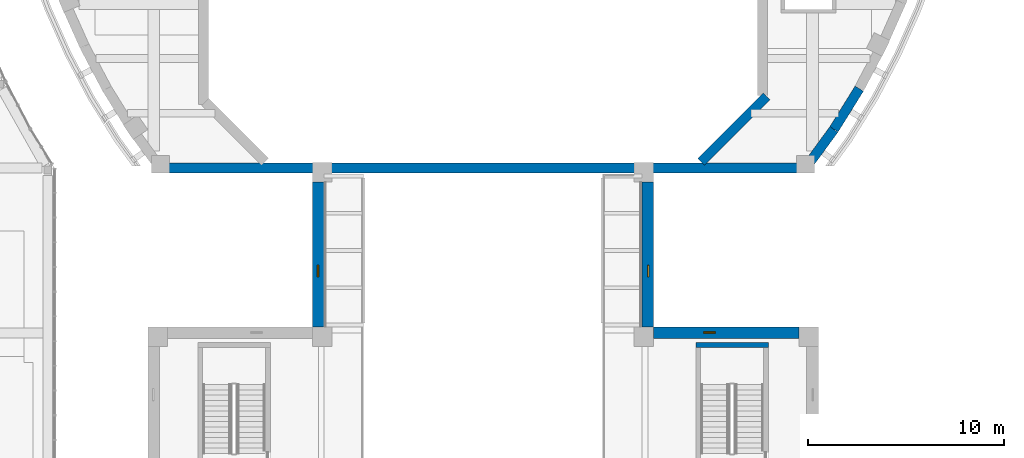
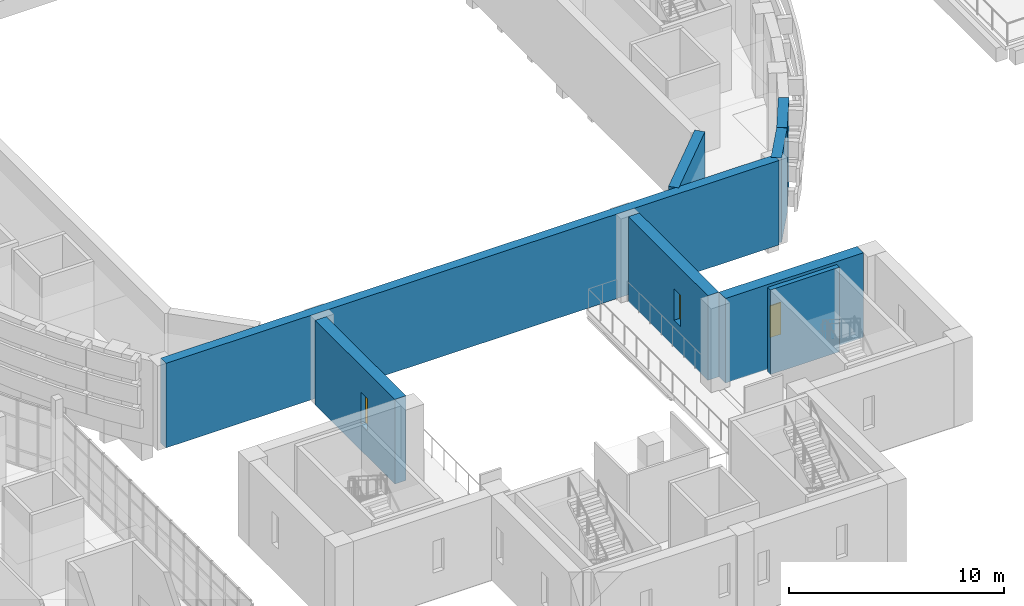
# One storey, part 54 of 103: 8 walls, 3 windows, 3 openings.
"""IFC4 building model written with IfcOpenShell, lengths in metres."""

from ifc_helpers import new_model, si_unit, direction, frame, frame_2d, origin, place, context, subcontext, project, spatial, rectangle, extrude, material, layer, layer_set, type_object, element, fill, save


model = new_model("IFC4")

# Units and contexts
model_context = context("Model", 3, precision=1e-05, world=origin(), true_north=direction((0.0, 1.0)))
body_context = subcontext(model_context, "Body", "Model", "MODEL_VIEW")
ifc_project = project(units=[si_unit("LENGTHUNIT", "METRE"), si_unit("AREAUNIT", "SQUARE_METRE"), si_unit("VOLUMEUNIT", "CUBIC_METRE"), si_unit("PLANEANGLEUNIT", "RADIAN"), si_unit("MASSUNIT", "GRAM", prefix="KILO")], contexts=[model_context])

# Site, building, storey
site_placement = place(None, origin())
site = spatial("IfcSite", under=ifc_project, at=site_placement, CompositionType="ELEMENT")
building_placement = place(site_placement, origin())
building = spatial("IfcBuilding", under=site, at=building_placement, Name="Larchfold Concert Hall", CompositionType="ELEMENT")
storey_placement = place(building_placement, frame((0.0, 0.0, 9.60009765625)))
storey = spatial("IfcBuildingStorey", under=building, at=storey_placement, Name="L02", CompositionType="ELEMENT", Elevation=9.60009765625)

# Walls
ifc_material_1 = material(Name="Concrete C40/50", Category="concrete")
ifc_layer_1 = layer(ifc_material_1, 0.25)
ifc_layer_set_1 = layer_set([ifc_layer_1], Name="Concrete C40/50")
wall_type_1 = type_object("IfcWallType", Name="Wall RC 250 stair core", PredefinedType="SOLIDWALL", material=ifc_layer_set_1)
wall_1_placement = place(storey_placement, frame((53.449951171875, 50.375, 0.0), z_axis=(0.0, 0.0, 1.0), x_axis=(1.0, 0.0, 0.0)))
element("IfcWall", 1, at=wall_1_placement, inside=storey, type_object=wall_type_1, Name="Wall W0068", PredefinedType="SOLIDWALL", context=body_context, shape_type="SweptSolid", body=[
    extrude(rectangle(XDim=3.699951171875, YDim=0.25, at=frame_2d((1.85009765625, 0.0))), origin(), (0.0, 0.0, 1.0), 4.7998046875),
])
ifc_material_2 = material(Name="Concrete C30/37", Category="concrete")
ifc_layer_2 = layer(ifc_material_2, 0.5)
ifc_layer_set_2 = layer_set([ifc_layer_2], Name="Concrete C30/37")
wall_type_2 = type_object("IfcWallType", Name="Wall RC 500 drum facade", PredefinedType="SOLIDWALL", material=ifc_layer_set_2)
wall_2_placement = place(storey_placement, frame((26.153076171875, 59.39990234375, 0.0), z_axis=(0.0, 0.0, 1.0), x_axis=(1.0, 0.0, 0.0)))
element("IfcWall", 2, at=wall_2_placement, inside=storey, type_object=wall_type_2, Name="Wall DW050", PredefinedType="SOLIDWALL", context=body_context, shape_type="SweptSolid", body=[
    extrude(rectangle(XDim=32.89404296875, YDim=0.5, at=frame_2d((16.447021484375, 0.0))), origin(), (0.0, 0.0, 1.0), 4.7998046875),
])
wall_3_placement = place(storey_placement, frame((59.047119140625, 59.39990234375, 0.0), z_axis=(0.0, 0.0, 1.0), x_axis=(0.590771306399, 0.806839056774, 0.0)))
element("IfcWall", 3, at=wall_3_placement, inside=storey, type_object=wall_type_2, Name="Wall DW051", PredefinedType="SOLIDWALL", context=body_context, shape_type="SweptSolid", body=[
    extrude(rectangle(XDim=2.448486328125, YDim=0.5, at=frame_2d((1.22412109375, 0.0))), origin(), (0.0, 0.0, 1.0), 4.7998046875),
])
wall_4_placement = place(storey_placement, frame((60.49365234375, 61.37548828125, 0.0), z_axis=(0.0, 0.0, 1.0), x_axis=(0.527702820527, 0.849429063082, 0.0)))
element("IfcWall", 4, at=wall_4_placement, inside=storey, type_object=wall_type_2, Name="Wall DW052", PredefinedType="SOLIDWALL", context=body_context, shape_type="SweptSolid", body=[
    extrude(rectangle(XDim=2.44873046875, YDim=0.5, at=frame_2d((1.224365234375, 0.0))), origin(), (0.0, 0.0, 1.0), 4.7998046875),
])
ifc_material_3 = material(Name="Concrete C40/50", Category="concrete")
ifc_layer_3 = layer(ifc_material_3, 0.5)
ifc_layer_set_3 = layer_set([ifc_layer_3], Name="Concrete C40/50")
wall_type_3 = type_object("IfcWallType", Name="Wall RC 500 hall shell", PredefinedType="SOLIDWALL", material=ifc_layer_set_3)
wall_5_placement = place(storey_placement, frame((53.722900390625, 59.72265625, 0.0), z_axis=(0.0, 0.0, 1.0), x_axis=(0.707106781187, 0.707106781187, 0.0)))
element("IfcWall", 5, at=wall_5_placement, inside=storey, type_object=wall_type_3, Name="Wall W0001", PredefinedType="SOLIDWALL", context=body_context, shape_type="SweptSolid", body=[
    extrude(rectangle(XDim=4.720947265625, YDim=0.5, at=frame_2d((2.3603515625, 0.0))), origin(), (0.0, 0.0, 1.0), 4.7998046875),
])

# Wall, opening, window
ifc_material_4 = material(Name="Concrete C40/50", Category="concrete")
ifc_layer_4 = layer(ifc_material_4, 0.60009765625)
ifc_layer_set_4 = layer_set([ifc_layer_4], Name="Concrete C40/50")
wall_type_4 = type_object("IfcWallType", Name="Wall RC 600 stage house", PredefinedType="SOLIDWALL", material=ifc_layer_set_4)
wall_6_placement = place(storey_placement, frame((58.699951171875, 51.0, 0.0), z_axis=(0.0, 0.0, 1.0), x_axis=(-1.0, 0.0, 0.0)))
wall_6 = element("IfcWall", 6, at=wall_6_placement, inside=storey, type_object=wall_type_4, Name="Wall W0010", PredefinedType="SOLIDWALL", context=body_context, shape_type="SweptSolid", body=[
    extrude(rectangle(XDim=7.39990234375, YDim=0.60009765625, at=frame_2d((3.699951171875, 0.0))), origin(), (0.0, 0.0, 1.0), 4.7998046875),
])
opening_1_placement = place(wall_6_placement, frame((4.25, 0.0, 1.5)))
opening_1 = element("IfcOpeningElement", 7, at=opening_1_placement, cuts=wall_6, Name="Opening WN-L02-003", PredefinedType="OPENING", context=body_context, shape_type="SweptSolid", body=[
    extrude(rectangle(XDim=0.60009765625, YDim=1.800048828125, at=frame_2d((0.300048828125, 0.89990234375))), frame((0.0, 0.31005859375, 0.0), z_axis=(0.0, -1.0, 0.0), x_axis=(1.0, 0.0, 0.0)), (0.0, 0.0, 1.0), 0.6201171875),
])
ifc_material_5 = material(Name="Anodised graphite aluminium frame with glass", Category="aluminium")
window_type = type_object("IfcWindowType", Name="Gallery slit window 600x1800", PartitioningType="SINGLE_PANEL", PredefinedType="WINDOW", material=ifc_material_5)
window_1_placement = place(opening_1_placement, origin())
window_1 = element("IfcWindow", 8, at=window_1_placement, inside=storey, type_object=window_type, Name="Window WN-L02-003", OverallHeight=1.800048828125, OverallWidth=0.60009765625, PartitioningType="SINGLE_PANEL", PredefinedType="WINDOW", context=body_context, shape_type="SweptSolid", body=[
    extrude(rectangle(XDim=0.60009765625, YDim=1.800048828125, at=frame_2d((0.300048828125, 0.89990234375))), frame((0.0, 0.010009765625, 0.0), z_axis=(0.0, -1.0, 0.0), x_axis=(1.0, 0.0, 0.0)), (0.0, 0.0, 1.0), 0.06005859375),
])
fill(opening_1, window_1)

wall_7_placement = place(storey_placement, frame((51.0, 51.300048828125, 0.0), z_axis=(0.0, 0.0, 1.0), x_axis=(0.0, 1.0, 0.0)))
wall_7 = element("IfcWall", 9, at=wall_7_placement, inside=storey, type_object=wall_type_4, Name="Wall W0011", PredefinedType="SOLIDWALL", context=body_context, shape_type="SweptSolid", body=[
    extrude(rectangle(XDim=7.39990234375, YDim=0.60009765625, at=frame_2d((3.699951171875, 0.0))), origin(), (0.0, 0.0, 1.0), 4.7998046875),
])
opening_2_placement = place(wall_7_placement, frame((2.550048828125, 0.0, 1.5)))
opening_2 = element("IfcOpeningElement", 10, at=opening_2_placement, cuts=wall_7, Name="Opening WN-L02-004", PredefinedType="OPENING", context=body_context, shape_type="SweptSolid", body=[
    extrude(rectangle(XDim=0.60009765625, YDim=1.800048828125, at=frame_2d((0.300048828125, 0.89990234375))), frame((0.0, 0.31005859375, 0.0), z_axis=(0.0, -1.0, 0.0), x_axis=(1.0, 0.0, 0.0)), (0.0, 0.0, 1.0), 0.6201171875),
])
window_2_placement = place(opening_2_placement, origin())
window_2 = element("IfcWindow", 11, at=window_2_placement, inside=storey, type_object=window_type, Name="Window WN-L02-004", OverallHeight=1.800048828125, OverallWidth=0.60009765625, PartitioningType="SINGLE_PANEL", PredefinedType="WINDOW", context=body_context, shape_type="SweptSolid", body=[
    extrude(rectangle(XDim=0.60009765625, YDim=1.800048828125, at=frame_2d((0.300048828125, 0.89990234375))), frame((0.0, 0.010009765625, 0.0), z_axis=(0.0, -1.0, 0.0), x_axis=(1.0, 0.0, 0.0)), (0.0, 0.0, 1.0), 0.06005859375),
])
fill(opening_2, window_2)

wall_8_placement = place(storey_placement, frame((34.199951171875, 58.699951171875, 0.0), z_axis=(0.0, 0.0, 1.0), x_axis=(0.0, -1.0, 0.0)))
wall_8 = element("IfcWall", 12, at=wall_8_placement, inside=storey, type_object=wall_type_4, Name="Wall W0012", PredefinedType="SOLIDWALL", context=body_context, shape_type="SweptSolid", body=[
    extrude(rectangle(XDim=7.39990234375, YDim=0.60009765625, at=frame_2d((3.699951171875, 0.0))), origin(), (0.0, 0.0, 1.0), 4.7998046875),
])
opening_3_placement = place(wall_8_placement, frame((4.25, 0.0, 1.5)))
opening_3 = element("IfcOpeningElement", 13, at=opening_3_placement, cuts=wall_8, Name="Opening WN-L02-005", PredefinedType="OPENING", context=body_context, shape_type="SweptSolid", body=[
    extrude(rectangle(XDim=0.60009765625, YDim=1.800048828125, at=frame_2d((0.300048828125, 0.89990234375))), frame((0.0, 0.31005859375, 0.0), z_axis=(0.0, -1.0, 0.0), x_axis=(1.0, 0.0, 0.0)), (0.0, 0.0, 1.0), 0.6201171875),
])
window_3_placement = place(opening_3_placement, origin())
window_3 = element("IfcWindow", 14, at=window_3_placement, inside=storey, type_object=window_type, Name="Window WN-L02-005", OverallHeight=1.800048828125, OverallWidth=0.60009765625, PartitioningType="SINGLE_PANEL", PredefinedType="WINDOW", context=body_context, shape_type="SweptSolid", body=[
    extrude(rectangle(XDim=0.60009765625, YDim=1.800048828125, at=frame_2d((0.300048828125, 0.89990234375))), frame((0.0, 0.010009765625, 0.0), z_axis=(0.0, -1.0, 0.0), x_axis=(1.0, 0.0, 0.0)), (0.0, 0.0, 1.0), 0.06005859375),
])
fill(opening_3, window_3)

save(model, "model.ifc")
